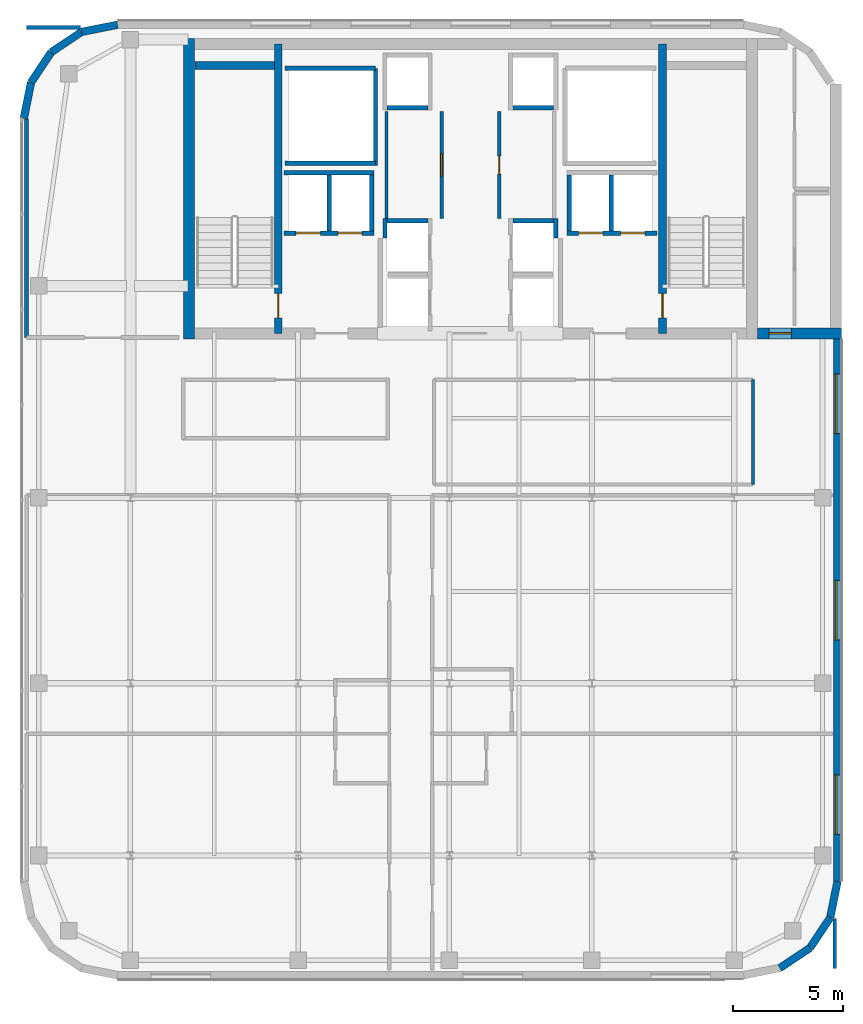
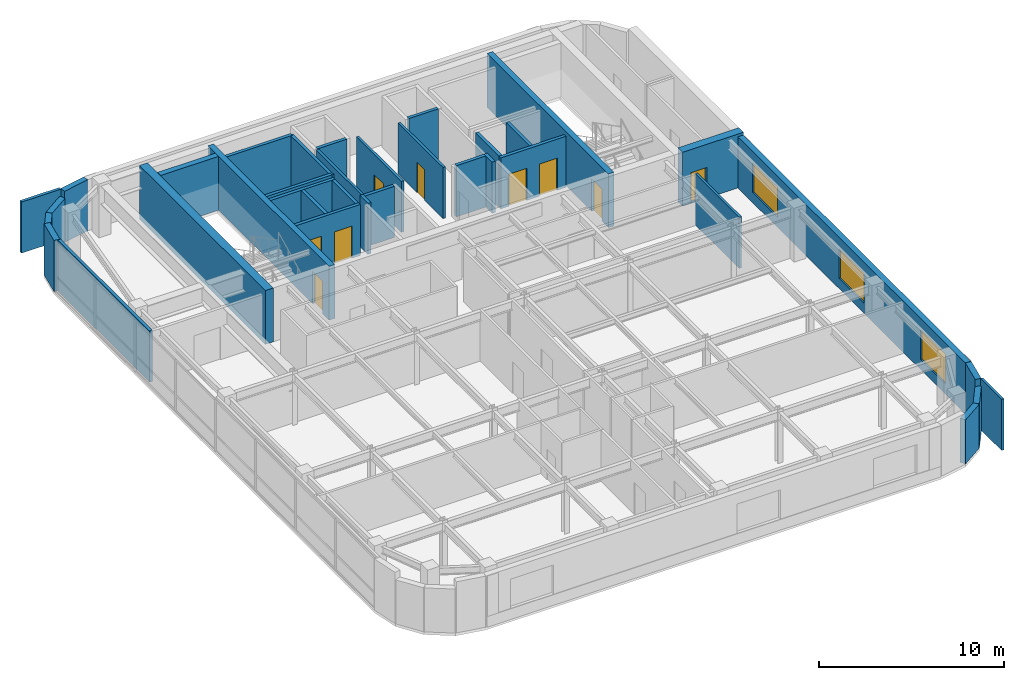
# One storey, part 16 of 21: 36 walls, 9 doors, 3 windows, 12 openings.
"""IFC4 building model written with IfcOpenShell, lengths in metres."""

from ifc_helpers import new_model, si_unit, direction, frame, frame_2d, origin, place, context, subcontext, project, spatial, rectangle, extrude, source, transform, mapped, material, layer, layer_set, type_object, type_shapes, element, fill, save


model = new_model("IFC4")

# Units and contexts
model_context = context("Model", 3, precision=1e-05, world=origin(), true_north=direction((0.0, 1.0)))
body_context = subcontext(model_context, "Body", "Model", "MODEL_VIEW")
ifc_project = project(units=[si_unit("LENGTHUNIT", "METRE"), si_unit("AREAUNIT", "SQUARE_METRE"), si_unit("VOLUMEUNIT", "CUBIC_METRE"), si_unit("PLANEANGLEUNIT", "RADIAN"), si_unit("MASSUNIT", "GRAM", prefix="KILO")], contexts=[model_context])

# Site, building, storey
site_placement = place(None, origin())
site = spatial("IfcSite", under=ifc_project, at=site_placement, CompositionType="ELEMENT")
building_placement = place(site_placement, origin())
building = spatial("IfcBuilding", under=site, at=building_placement, Name="Tolvann Quenvar Hotel", CompositionType="ELEMENT")
storey_placement = place(building_placement, frame((0.0, 0.0, 227.449951171875)))
storey = spatial("IfcBuildingStorey", under=building, at=storey_placement, Name="L60", CompositionType="ELEMENT", Elevation=227.449951171875)

# Wall
ifc_material_1 = material(Name="Concrete N50 (50 MPa)", Category="concrete")
ifc_layer_1 = layer(ifc_material_1, 0.5)
ifc_layer_set_1 = layer_set([ifc_layer_1], Name="Concrete N50 (50 MPa)")
wall_type_1 = type_object("IfcWallType", Name="WALL_CORE_500", PredefinedType="SHEAR", material=ifc_layer_set_1)
wall_1_placement = place(storey_placement, frame((10.25, 31.60009765625, 0.0), z_axis=(0.0, 0.0, 1.0), x_axis=(0.0, 1.0, 0.0)))
element("IfcWall", 1, at=wall_1_placement, inside=storey, type_object=wall_type_1, Name="Rear Core W Shear Wall (L60)", PredefinedType="SHEAR", context=body_context, shape_type="SweptSolid", body=[
    extrude(rectangle(XDim=13.599853515625, YDim=0.5, at=frame_2d((6.7998046875, 0.0))), origin(), (0.0, 0.0, 1.0), 3.550048828125),
])

# Wall, opening, door
wall_2_placement = place(storey_placement, frame((36.0, 31.85009765625, 0.0), z_axis=(0.0, 0.0, 1.0), x_axis=(1.0, 0.0, 0.0)))
wall_2 = element("IfcWall", 2, at=wall_2_placement, inside=storey, type_object=wall_type_1, Name="Core East Annex Shear Wall ANN-S (L60)", PredefinedType="SHEAR", context=body_context, shape_type="SweptSolid", body=[
    extrude(rectangle(XDim=3.800048828125, YDim=0.5, at=frame_2d((1.89990234375, 0.0))), origin(), (0.0, 0.0, 1.0), 3.550048828125),
])
opening_1_placement = place(wall_2_placement, frame((1.5400390625, 0.0, 0.0), z_axis=(0.0, 0.0, 1.0), x_axis=(-1.0, 0.0, 0.0)))
opening_1 = element("IfcOpeningElement", 3, at=opening_1_placement, cuts=wall_2, Name="Opening HD-01", PredefinedType="OPENING", context=body_context, shape_type="SweptSolid", body=[
    extrude(rectangle(XDim=1.02001953125, YDim=2.030029296875, at=frame_2d((0.510009765625, 1.01513671875))), frame((0.0, 0.260009765625, 0.0), z_axis=(0.0, -1.0, 0.0), x_axis=(1.0, 0.0, 0.0)), (0.0, 0.0, 1.0), 0.52001953125),
])
ifc_material_2 = material(Name="Pressed galvanised steel fire-rated door set", Category="steel")
door_type_1 = type_object("IfcDoorType", Name="DOOR_BOH_1020", OperationType="NOTDEFINED", PredefinedType="DOOR", material=ifc_material_2)
shared_shape_1 = source(origin(), body_context, "Body", "SweptSolid", [
    extrude(rectangle(XDim=1.02001953125, YDim=2.030029296875, at=frame_2d((0.510009765625, 1.01513671875))), frame((0.0, 0.02490234375, 0.0), z_axis=(0.0, -1.0, 0.0), x_axis=(1.0, 0.0, 0.0)), (0.0, 0.0, 1.0), 0.050048828125),
])
type_shapes(door_type_1, [shared_shape_1])
door_1_placement = place(opening_1_placement, origin())
door_1 = element("IfcDoor", 4, at=door_1_placement, inside=storey, type_object=door_type_1, Name="Housekeeping Annex Fire Door (L60)", OperationType="SINGLE_SWING_LEFT", OverallHeight=2.030029296875, OverallWidth=1.02001953125, PredefinedType="DOOR", context=body_context, shape_type="MappedRepresentation", body=[
    mapped(shared_shape_1, transform((0.0, 0.0, 0.0), x_axis=(1.0, 0.0, 0.0), y_axis=(0.0, 1.0, 0.0), z_axis=(0.0, 0.0, 1.0), scale=1.0)),
])
fill(opening_1, door_1)

ifc_material_3 = material(Name="Concrete S65 (65 MPa)", Category="concrete")
ifc_layer_2 = layer(ifc_material_3, 0.35009765625)
ifc_layer_set_2 = layer_set([ifc_layer_2], Name="Concrete S65 (65 MPa)")
wall_type_2 = type_object("IfcWallType", Name="WALL_CORE_INT_350", PredefinedType="SHEAR", material=ifc_layer_set_2)
wall_3_placement = place(storey_placement, frame((14.300048828125, 31.85009765625, 0.0), z_axis=(0.0, 0.0, 1.0), x_axis=(0.0, 1.0, 0.0)))
wall_3 = element("IfcWall", 5, at=wall_3_placement, inside=storey, type_object=wall_type_2, Name="Core Internal Web Shear Wall WEB-W (L60)", PredefinedType="SHEAR", context=body_context, shape_type="SweptSolid", body=[
    extrude(rectangle(XDim=13.099853515625, YDim=0.35009765625, at=frame_2d((6.5498046875, 0.0))), origin(), (0.0, 0.0, 1.0), 3.550048828125),
])
opening_2_placement = place(wall_3_placement, frame((0.699951171875, 0.0, 0.0)))
opening_2 = element("IfcOpeningElement", 6, at=opening_2_placement, cuts=wall_3, Name="Opening FD-120", PredefinedType="OPENING", context=body_context, shape_type="SweptSolid", body=[
    extrude(rectangle(XDim=1.10009765625, YDim=2.1201171875, at=frame_2d((0.550048828125, 1.06005859375))), frame((0.0, 0.18505859375, 0.0), z_axis=(0.0, -1.0, 0.0), x_axis=(1.0, 0.0, 0.0)), (0.0, 0.0, 1.0), 0.3701171875),
])
door_type_2 = type_object("IfcDoorType", Name="DOOR_FIRE_STAIR_1100", OperationType="NOTDEFINED", PredefinedType="DOOR", material=ifc_material_2)
shared_shape_2 = source(origin(), body_context, "Body", "SweptSolid", [
    extrude(rectangle(XDim=1.10009765625, YDim=2.1201171875, at=frame_2d((0.550048828125, 1.06005859375))), frame((0.0, 0.02490234375, 0.0), z_axis=(0.0, -1.0, 0.0), x_axis=(1.0, 0.0, 0.0)), (0.0, 0.0, 1.0), 0.050048828125),
])
type_shapes(door_type_2, [shared_shape_2])
door_2_placement = place(opening_2_placement, origin())
door_2 = element("IfcDoor", 7, at=door_2_placement, inside=storey, type_object=door_type_2, Name="Exit Stair ST-C1 Fire Door (L60)", OperationType="SINGLE_SWING_LEFT", OverallHeight=2.1201171875, OverallWidth=1.10009765625, PredefinedType="DOOR", context=body_context, shape_type="MappedRepresentation", body=[
    mapped(shared_shape_2, transform((0.0, 0.0, 0.0), x_axis=(1.0, 0.0, 0.0), y_axis=(0.0, 1.0, 0.0), z_axis=(0.0, 0.0, 1.0), scale=1.0)),
])
fill(opening_2, door_2)

wall_4_placement = place(storey_placement, frame((31.699951171875, 31.85009765625, 0.0), z_axis=(0.0, 0.0, 1.0), x_axis=(0.0, 1.0, 0.0)))
wall_4 = element("IfcWall", 8, at=wall_4_placement, inside=storey, type_object=wall_type_2, Name="Core Internal Web Shear Wall WEB-E (L60)", PredefinedType="SHEAR", context=body_context, shape_type="SweptSolid", body=[
    extrude(rectangle(XDim=13.099853515625, YDim=0.35009765625, at=frame_2d((6.5498046875, 0.0))), origin(), (0.0, 0.0, 1.0), 3.550048828125),
])
opening_3_placement = place(wall_4_placement, frame((1.800048828125, 0.0, 0.0), z_axis=(0.0, 0.0, 1.0), x_axis=(-1.0, 0.0, 0.0)))
opening_3 = element("IfcOpeningElement", 9, at=opening_3_placement, cuts=wall_4, Name="Opening FD-120", PredefinedType="OPENING", context=body_context, shape_type="SweptSolid", body=[
    extrude(rectangle(XDim=1.10009765625, YDim=2.1201171875, at=frame_2d((0.550048828125, 1.06005859375))), frame((0.0, 0.18505859375, 0.0), z_axis=(0.0, -1.0, 0.0), x_axis=(1.0, 0.0, 0.0)), (0.0, 0.0, 1.0), 0.3701171875),
])
door_3_placement = place(opening_3_placement, origin())
door_3 = element("IfcDoor", 10, at=door_3_placement, inside=storey, type_object=door_type_2, Name="Exit Stair ST-C2 Fire Door (L60)", OperationType="SINGLE_SWING_RIGHT", OverallHeight=2.1201171875, OverallWidth=1.10009765625, PredefinedType="DOOR", context=body_context, shape_type="MappedRepresentation", body=[
    mapped(shared_shape_2, transform((0.0, 0.0, 0.0), x_axis=(1.0, 0.0, 0.0), y_axis=(0.0, 1.0, 0.0), z_axis=(0.0, 0.0, 1.0), scale=1.0)),
])
fill(opening_3, door_3)

# Walls
wall_5_placement = place(storey_placement, frame((10.52001953125, 43.97509765625, 0.0), z_axis=(0.0, 0.0, 1.0), x_axis=(1.0, 0.0, 0.0)))
element("IfcWall", 11, at=wall_5_placement, inside=storey, type_object=wall_type_2, Name="Core Stair North Closing Shear Wall STC1-N (L60)", PredefinedType="SHEAR", context=body_context, shape_type="SweptSolid", body=[
    extrude(rectangle(XDim=3.60009765625, YDim=0.35009765625, at=frame_2d((1.800048828125, 0.0))), origin(), (0.0, 0.0, 1.0), 3.550048828125),
])
ifc_material_4 = material(Name="Kiln-fired red and buff architectural clay brickwork and terracotta masonry", Category="masonry")
ifc_layer_3 = layer(ifc_material_4, 0.35009765625)
ifc_layer_set_3 = layer_set([ifc_layer_3], Name="Kiln-fired red and buff architectural clay brickwork and terracotta masonry")
wall_type_3 = type_object("IfcWallType", Name="WALL_EXT_BRICK_350", PredefinedType="SOLIDWALL", material=ifc_layer_set_3)
for number, where, z_axis, x_axis, name in (
    (12, (37.015380859375, 3.099609375, 0.0), (0.0, 0.0, 1.0), (0.831434158098, 0.555623290322, 0.0), "Exterior Chicago Brick Wall L60-E06"),
    (13, (38.385009765625, 4.014892578125, 0.0), (0.0, 0.0, 1.0), (0.555623290322, 0.831434158098, 0.0), "Exterior Chicago Brick Wall L60-E07"),
):
    element("IfcWall", number, at=place(storey_placement, frame(where, z_axis=z_axis, x_axis=x_axis)), inside=storey, type_object=wall_type_3, Name=name, PredefinedType="SOLIDWALL", context=body_context, shape_type="SweptSolid", body=[
        extrude(rectangle(XDim=1.647216796875, YDim=0.35009765625, at=frame_2d((0.82373046875, 0.0))), origin(), (0.0, 0.0, 1.0), 2.900146484375),
    ])
wall_6_placement = place(storey_placement, frame((39.30029296875, 5.384521484375, 0.0), z_axis=(0.0, 0.0, 1.0), x_axis=(0.195072403631, 0.980788844421, 0.0)))
element("IfcWall", 14, at=wall_6_placement, inside=storey, type_object=wall_type_3, Name="Exterior Chicago Brick Wall L60-E08", PredefinedType="SOLIDWALL", context=body_context, shape_type="SweptSolid", body=[
    extrude(rectangle(XDim=1.66455078125, YDim=0.35009765625, at=frame_2d((0.832275390625, 0.0))), origin(), (0.0, 0.0, 1.0), 3.3701171875),
])

# Wall, openings, windows
wall_7_placement = place(storey_placement, frame((39.625, 7.01708984375, 0.0), z_axis=(0.0, 0.0, 1.0), x_axis=(0.0, 1.0, 0.0)))
wall_7 = element("IfcWall", 15, at=wall_7_placement, inside=storey, type_object=wall_type_3, Name="Exterior Chicago Brick Wall L60-E09", PredefinedType="SOLIDWALL", context=body_context, shape_type="SweptSolid", body=[
    extrude(rectangle(XDim=24.578857421875, YDim=0.35009765625, at=frame_2d((12.28955078125, 0.0))), origin(), (0.0, 0.0, 1.0), 3.3701171875),
])
opening_4_placement = place(wall_7_placement, frame((2.137939453125, 0.0, 0.679931640625)))
opening_4 = element("IfcOpeningElement", 16, at=opening_4_placement, cuts=wall_7, Name="Opening W-04", PredefinedType="OPENING", context=body_context, shape_type="SweptSolid", body=[
    extrude(rectangle(XDim=2.699951171875, YDim=1.949951171875, at=frame_2d((1.35009765625, 0.97509765625))), frame((0.0, 0.18505859375, 0.0), z_axis=(0.0, -1.0, 0.0), x_axis=(1.0, 0.0, 0.0)), (0.0, 0.0, 1.0), 0.3701171875),
])
opening_5_placement = place(wall_7_placement, frame((10.93896484375, 0.0, 0.679931640625)))
opening_5 = element("IfcOpeningElement", 17, at=opening_5_placement, cuts=wall_7, Name="Opening W-04", PredefinedType="OPENING", context=body_context, shape_type="SweptSolid", body=[
    extrude(rectangle(XDim=2.699951171875, YDim=1.949951171875, at=frame_2d((1.35009765625, 0.97509765625))), frame((0.0, 0.18505859375, 0.0), z_axis=(0.0, -1.0, 0.0), x_axis=(1.0, 0.0, 0.0)), (0.0, 0.0, 1.0), 0.3701171875),
])
opening_6_placement = place(wall_7_placement, frame((20.291015625, 0.0, 0.679931640625)))
opening_6 = element("IfcOpeningElement", 18, at=opening_6_placement, cuts=wall_7, Name="Opening W-04", PredefinedType="OPENING", context=body_context, shape_type="SweptSolid", body=[
    extrude(rectangle(XDim=2.699951171875, YDim=1.949951171875, at=frame_2d((1.35009765625, 0.97509765625))), frame((0.0, 0.18505859375, 0.0), z_axis=(0.0, -1.0, 0.0), x_axis=(1.0, 0.0, 0.0)), (0.0, 0.0, 1.0), 0.3701171875),
])
ifc_material_5 = material(Name="Thermally broken bronze-anodised aluminium frame with double low-E glazing", Category="aluminium")
window_type = type_object("IfcWindowType", Name="WIN_STE_2700x2150", PartitioningType="TRIPLE_PANEL_HORIZONTAL", PredefinedType="WINDOW", material=ifc_material_5)
shared_shape_3 = source(origin(), body_context, "Body", "SweptSolid", [
    extrude(rectangle(XDim=2.699951171875, YDim=1.949951171875, at=frame_2d((1.35009765625, 0.97509765625))), frame((0.0, 0.090087890625, 0.0), z_axis=(0.0, -1.0, 0.0), x_axis=(1.0, 0.0, 0.0)), (0.0, 0.0, 1.0), 0.06005859375),
])
type_shapes(window_type, [shared_shape_3])
window_1_placement = place(opening_4_placement, origin())
window_1 = element("IfcWindow", 19, at=window_1_placement, inside=storey, type_object=window_type, Name="Chicago Window W-04 (EW-L60-E09-W01)", OverallHeight=1.949951171875, OverallWidth=2.699951171875, PartitioningType="TRIPLE_PANEL_HORIZONTAL", PredefinedType="WINDOW", context=body_context, shape_type="MappedRepresentation", body=[
    mapped(shared_shape_3, transform((0.0, 0.0, 0.0), x_axis=(1.0, 0.0, 0.0), y_axis=(0.0, 1.0, 0.0), z_axis=(0.0, 0.0, 1.0), scale=1.0)),
])
fill(opening_4, window_1)
window_2_placement = place(opening_5_placement, origin())
window_2 = element("IfcWindow", 20, at=window_2_placement, inside=storey, type_object=window_type, Name="Chicago Window W-04 (EW-L60-E09-W02)", OverallHeight=1.949951171875, OverallWidth=2.699951171875, PartitioningType="TRIPLE_PANEL_HORIZONTAL", PredefinedType="WINDOW", context=body_context, shape_type="MappedRepresentation", body=[
    mapped(shared_shape_3, transform((0.0, 0.0, 0.0), x_axis=(1.0, 0.0, 0.0), y_axis=(0.0, 1.0, 0.0), z_axis=(0.0, 0.0, 1.0), scale=1.0)),
])
fill(opening_5, window_2)
window_3_placement = place(opening_6_placement, origin())
window_3 = element("IfcWindow", 21, at=window_3_placement, inside=storey, type_object=window_type, Name="Chicago Window W-04 (EW-L60-E09-W03)", OverallHeight=1.949951171875, OverallWidth=2.699951171875, PartitioningType="TRIPLE_PANEL_HORIZONTAL", PredefinedType="WINDOW", context=body_context, shape_type="MappedRepresentation", body=[
    mapped(shared_shape_3, transform((0.0, 0.0, 0.0), x_axis=(1.0, 0.0, 0.0), y_axis=(0.0, 1.0, 0.0), z_axis=(0.0, 0.0, 1.0), scale=1.0)),
])
fill(opening_6, window_3)

# Walls
wall_8_placement = place(storey_placement, frame((7.01708984375, 45.824951171875, 0.0), z_axis=(0.0, 0.0, 1.0), x_axis=(-0.980788844421, -0.195072403631, 0.0)))
element("IfcWall", 22, at=wall_8_placement, inside=storey, type_object=wall_type_3, Name="Exterior Chicago Brick Wall L60-E15", PredefinedType="SOLIDWALL", context=body_context, shape_type="SweptSolid", body=[
    extrude(rectangle(XDim=1.66455078125, YDim=0.35009765625, at=frame_2d((0.832275390625, 0.0))), origin(), (0.0, 0.0, 1.0), 3.3701171875),
])
for number, where, z_axis, x_axis, name in (
    (23, (5.384521484375, 45.500244140625, 0.0), (0.0, 0.0, 1.0), (-0.831502623162, -0.555520825599, 0.0), "Exterior Chicago Brick Wall L60-E16"),
    (24, (4.014892578125, 44.585205078125, 0.0), (0.0, 0.0, 1.0), (-0.555623290322, -0.831434158098, 0.0), "Exterior Chicago Brick Wall L60-E17"),
):
    element("IfcWall", number, at=place(storey_placement, frame(where, z_axis=z_axis, x_axis=x_axis)), inside=storey, type_object=wall_type_3, Name=name, PredefinedType="SOLIDWALL", context=body_context, shape_type="SweptSolid", body=[
        extrude(rectangle(XDim=1.647216796875, YDim=0.35009765625, at=frame_2d((0.82373046875, 0.0))), origin(), (0.0, 0.0, 1.0), 2.900146484375),
    ])
wall_9_placement = place(storey_placement, frame((3.099609375, 43.215576171875, 0.0), z_axis=(0.0, 0.0, 1.0), x_axis=(-0.195044345786, -0.980794424524, 0.0)))
element("IfcWall", 25, at=wall_9_placement, inside=storey, type_object=wall_type_3, Name="Exterior Chicago Brick Wall L60-E18", PredefinedType="SOLIDWALL", context=body_context, shape_type="SweptSolid", body=[
    extrude(rectangle(XDim=1.664794921875, YDim=0.35009765625, at=frame_2d((0.83251953125, 0.0))), origin(), (0.0, 0.0, 1.0), 3.3701171875),
])
ifc_material_6 = material(Name="Acoustic twin-stud fire-rated gypsum plasterboard partition")
ifc_layer_4 = layer(ifc_material_6, 0.179931640625)
ifc_layer_set_4 = layer_set([ifc_layer_4], Name="Acoustic twin-stud fire-rated gypsum plasterboard partition")
wall_type_4 = type_object("IfcWallType", Name="WALL_PART_ACOUSTIC_180", PredefinedType="PARTITIONING", material=ifc_layer_set_4)
wall_10_placement = place(storey_placement, frame((2.89990234375, 45.699951171875, 0.0), z_axis=(0.0, 0.0, 1.0), x_axis=(1.0, 0.0, 0.0)))
element("IfcWall", 26, at=wall_10_placement, inside=storey, type_object=wall_type_4, Name="Interior Partition PT-SPC-L60-SAL-N", PredefinedType="PARTITIONING", context=body_context, shape_type="SweptSolid", body=[
    extrude(rectangle(XDim=2.445068359375, YDim=0.179931640625, at=frame_2d((1.22265625, 0.0))), origin(), (0.0, 0.0, 1.0), 3.3701171875),
])
wall_11_placement = place(storey_placement, frame((2.89990234375, 31.64990234375, 0.0), z_axis=(0.0, 0.0, 1.0), x_axis=(0.0, 1.0, 0.0)))
element("IfcWall", 27, at=wall_11_placement, inside=storey, type_object=wall_type_4, Name="Interior Partition PT-SPC-L60-SAL-W", PredefinedType="PARTITIONING", context=body_context, shape_type="SweptSolid", body=[
    extrude(rectangle(XDim=9.908203125, YDim=0.179931640625, at=frame_2d((4.9541015625, 0.0))), origin(), (0.0, 0.0, 1.0), 3.3701171875),
])

# Wall, opening, door
ifc_layer_5 = layer(ifc_material_6, 0.14990234375)
ifc_layer_set_5 = layer_set([ifc_layer_5], Name="Acoustic twin-stud fire-rated gypsum plasterboard partition")
wall_type_5 = type_object("IfcWallType", Name="WALL_PART_SUITE_150", PredefinedType="PARTITIONING", material=ifc_layer_set_5)
wall_12_placement = place(storey_placement, frame((21.699951171875, 37.050048828125, 0.0), z_axis=(0.0, 0.0, 1.0), x_axis=(0.0, 1.0, 0.0)))
wall_12 = element("IfcWall", 28, at=wall_12_placement, inside=storey, type_object=wall_type_5, Name="Interior Partition PT-SPC-L60-RECPM-1-ENT", PredefinedType="PARTITIONING", context=body_context, shape_type="SweptSolid", body=[
    extrude(rectangle(XDim=4.849853515625, YDim=0.14990234375, at=frame_2d((2.4248046875, 0.0))), origin(), (0.0, 0.0, 1.0), 3.3701171875),
])
opening_7_placement = place(wall_12_placement, frame((1.9150390625, 0.0, 0.0)))
opening_7 = element("IfcOpeningElement", 29, at=opening_7_placement, cuts=wall_12, Name="Opening HD-01", PredefinedType="OPENING", context=body_context, shape_type="SweptSolid", body=[
    extrude(rectangle(XDim=1.02001953125, YDim=2.030029296875, at=frame_2d((0.510009765625, 1.01513671875))), frame((0.0, 0.0849609375, 0.0), z_axis=(0.0, -1.0, 0.0), x_axis=(1.0, 0.0, 0.0)), (0.0, 0.0, 1.0), 0.169921875),
])
door_4_placement = place(opening_7_placement, origin())
door_4 = element("IfcDoor", 30, at=door_4_placement, inside=storey, type_object=door_type_1, Name="Interior Door DOOR-SPC-L60-RECPM-1", OperationType="SINGLE_SWING_RIGHT", OverallHeight=2.030029296875, OverallWidth=1.02001953125, PredefinedType="DOOR", context=body_context, shape_type="MappedRepresentation", body=[
    mapped(shared_shape_1, transform((0.0, 0.0, 0.0), x_axis=(1.0, 0.0, 0.0), y_axis=(0.0, 1.0, 0.0), z_axis=(0.0, 0.0, 1.0), scale=1.0)),
])
fill(opening_7, door_4)

# Wall
wall_13_placement = place(storey_placement, frame((19.199951171875, 37.0400390625, 0.0), z_axis=(0.0, 0.0, 1.0), x_axis=(0.0, 1.0, 0.0)))
element("IfcWall", 31, at=wall_13_placement, inside=storey, type_object=wall_type_5, Name="Interior Partition PT-SPC-L60-RECPM-1-W", PredefinedType="PARTITIONING", context=body_context, shape_type="SweptSolid", body=[
    extrude(rectangle(XDim=4.85986328125, YDim=0.14990234375, at=frame_2d((2.429931640625, 0.0))), origin(), (0.0, 0.0, 1.0), 3.3701171875),
])

# Wall, opening, door
wall_14_placement = place(storey_placement, frame((24.300048828125, 37.050048828125, 0.0), z_axis=(0.0, 0.0, 1.0), x_axis=(0.0, 1.0, 0.0)))
wall_14 = element("IfcWall", 32, at=wall_14_placement, inside=storey, type_object=wall_type_5, Name="Interior Partition PT-SPC-L60-RECPM-2-ENT", PredefinedType="PARTITIONING", context=body_context, shape_type="SweptSolid", body=[
    extrude(rectangle(XDim=4.849853515625, YDim=0.14990234375, at=frame_2d((2.4248046875, 0.0))), origin(), (0.0, 0.0, 1.0), 3.3701171875),
])
opening_8_placement = place(wall_14_placement, frame((2.014892578125, 0.0, 0.0)))
opening_8 = element("IfcOpeningElement", 33, at=opening_8_placement, cuts=wall_14, Name="Opening HD-02", PredefinedType="OPENING", context=body_context, shape_type="SweptSolid", body=[
    extrude(rectangle(XDim=0.820068359375, YDim=2.010009765625, at=frame_2d((0.41015625, 1.0048828125))), frame((0.0, 0.0849609375, 0.0), z_axis=(0.0, -1.0, 0.0), x_axis=(1.0, 0.0, 0.0)), (0.0, 0.0, 1.0), 0.169921875),
])
door_type_3 = type_object("IfcDoorType", Name="DOOR_STORE_820", OperationType="NOTDEFINED", PredefinedType="DOOR", material=ifc_material_2)
shared_shape_4 = source(origin(), body_context, "Body", "SweptSolid", [
    extrude(rectangle(XDim=0.820068359375, YDim=2.010009765625, at=frame_2d((0.41015625, 1.0048828125))), frame((0.0, 0.02490234375, 0.0), z_axis=(0.0, -1.0, 0.0), x_axis=(1.0, 0.0, 0.0)), (0.0, 0.0, 1.0), 0.050048828125),
])
type_shapes(door_type_3, [shared_shape_4])
door_5_placement = place(opening_8_placement, origin())
door_5 = element("IfcDoor", 34, at=door_5_placement, inside=storey, type_object=door_type_3, Name="Interior Door DOOR-SPC-L60-RECPM-2", OperationType="SINGLE_SWING_LEFT", OverallHeight=2.010009765625, OverallWidth=0.820068359375, PredefinedType="DOOR", context=body_context, shape_type="MappedRepresentation", body=[
    mapped(shared_shape_4, transform((0.0, 0.0, 0.0), x_axis=(1.0, 0.0, 0.0), y_axis=(0.0, 1.0, 0.0), z_axis=(0.0, 0.0, 1.0), scale=1.0)),
])
fill(opening_8, door_5)

# Walls
wall_15_placement = place(storey_placement, frame((39.5, 3.080078125, 0.0), z_axis=(0.0, 0.0, 1.0), x_axis=(0.0, 1.0, 0.0)))
element("IfcWall", 35, at=wall_15_placement, inside=storey, type_object=wall_type_5, Name="Interior Partition PT-SPC-L60-RM-EO01-E2", PredefinedType="PARTITIONING", context=body_context, shape_type="SweptSolid", body=[
    extrude(rectangle(XDim=2.264892578125, YDim=0.14990234375, at=frame_2d((1.13232421875, 0.0))), origin(), (0.0, 0.0, 1.0), 3.3701171875),
])
wall_16_placement = place(storey_placement, frame((35.800048828125, 25.0, 0.0), z_axis=(0.0, 0.0, 1.0), x_axis=(0.0, 1.0, 0.0)))
element("IfcWall", 36, at=wall_16_placement, inside=storey, type_object=wall_type_5, Name="Interior Partition PT-SPC-L60-LOUNGE-E", PredefinedType="PARTITIONING", context=body_context, shape_type="SweptSolid", body=[
    extrude(rectangle(XDim=4.75, YDim=0.14990234375, at=frame_2d((2.375, 0.0))), origin(), (0.0, 0.0, 1.0), 3.3701171875),
])
ifc_material_7 = material(Name="Concrete N40 (40 MPa)", Category="concrete")
ifc_layer_6 = layer(ifc_material_7, 0.199951171875)
ifc_layer_set_6 = layer_set([ifc_layer_6], Name="Concrete N40 (40 MPa)")
wall_type_6 = type_object("IfcWallType", Name="WALL_SHAFT_200", PredefinedType="SOLIDWALL", material=ifc_layer_set_6)
wall_17_placement = place(storey_placement, frame((18.699951171875, 39.449951171875, 0.0), z_axis=(0.0, 0.0, 1.0), x_axis=(0.0, 1.0, 0.0)))
element("IfcWall", 37, at=wall_17_placement, inside=storey, type_object=wall_type_6, Name="Service Riser W Shaft Wall IN (L60)", PredefinedType="SOLIDWALL", context=body_context, shape_type="SweptSolid", body=[
    extrude(rectangle(XDim=4.400146484375, YDim=0.199951171875, at=frame_2d((2.2001953125, 0.0))), origin(), (0.0, 0.0, 1.0), 3.3701171875),
])
for number, where, z_axis, x_axis, name in (
    (38, (14.60009765625, 39.550048828125, 0.0), (0.0, 0.0, 1.0), (1.0, 0.0, 0.0), "Service Riser W Shaft Wall S (L60)"),
    (39, (14.60009765625, 43.85009765625, 0.0), (0.0, 0.0, 1.0), (1.0, 0.0, 0.0), "Service Riser W Shaft Wall N (L60)"),
):
    element("IfcWall", number, at=place(storey_placement, frame(where, z_axis=z_axis, x_axis=x_axis)), inside=storey, type_object=wall_type_6, Name=name, PredefinedType="SOLIDWALL", context=body_context, shape_type="SweptSolid", body=[
        extrude(rectangle(XDim=4.099853515625, YDim=0.199951171875, at=frame_2d((2.0498046875, 0.0))), origin(), (0.0, 0.0, 1.0), 3.3701171875),
    ])
wall_18_placement = place(storey_placement, frame((19.1298828125, 36.159912109375, 0.0), z_axis=(0.0, 0.0, 1.0), x_axis=(0.0, 1.0, 0.0)))
element("IfcWall", 40, at=wall_18_placement, inside=storey, type_object=wall_type_6, Name="Lift Bank E21.1C1 Hoistway Rear Wall (L60)", PredefinedType="SOLIDWALL", context=body_context, shape_type="SweptSolid", body=[
    extrude(rectangle(XDim=0.880126953125, YDim=0.199951171875, at=frame_2d((0.43994140625, 0.0))), origin(), (0.0, 0.0, 1.0), 3.3701171875),
])
for number, where, z_axis, x_axis, name in (
    (41, (19.22998046875, 36.93994140625, 0.0), (0.0, 0.0, 1.0), (1.0, 0.0, 0.0), "Lift Bank E21.1C1 Hoistway Cheek Wall 2 (L60)"),
    (42, (19.22998046875, 42.06005859375, 0.0), (0.0, 0.0, 1.0), (1.0, 0.0, 0.0), "Lift Bank E21.1C2 Hoistway Cheek Wall 1 (L60)"),
):
    element("IfcWall", number, at=place(storey_placement, frame(where, z_axis=z_axis, x_axis=x_axis)), inside=storey, type_object=wall_type_6, Name=name, PredefinedType="SOLIDWALL", context=body_context, shape_type="SweptSolid", body=[
        extrude(rectangle(XDim=1.840087890625, YDim=0.199951171875, at=frame_2d((0.919921875, 0.0))), origin(), (0.0, 0.0, 1.0), 3.3701171875),
    ])

# Wall, openings, doors
wall_19_placement = place(storey_placement, frame((27.375, 36.3798828125, 0.0), z_axis=(0.0, 0.0, 1.0), x_axis=(1.0, 0.0, 0.0)))
wall_19 = element("IfcWall", 43, at=wall_19_placement, inside=storey, type_object=wall_type_6, Name="Lift Bank SEC1 Hoistway Front Wall (L60)", PredefinedType="SOLIDWALL", context=body_context, shape_type="SweptSolid", body=[
    extrude(rectangle(XDim=4.074951171875, YDim=0.199951171875, at=frame_2d((2.03759765625, 0.0))), origin(), (0.0, 0.0, 1.0), 3.3701171875),
])
opening_9_placement = place(wall_19_placement, frame((0.52490234375, 0.0, 0.0)))
opening_9 = element("IfcOpeningElement", 44, at=opening_9_placement, cuts=wall_19, Name="Opening LD-01", PredefinedType="OPENING", context=body_context, shape_type="SweptSolid", body=[
    extrude(rectangle(XDim=1.10009765625, YDim=2.1201171875, at=frame_2d((0.550048828125, 1.06005859375))), frame((0.0, 0.10986328125, 0.0), z_axis=(0.0, -1.0, 0.0), x_axis=(1.0, 0.0, 0.0)), (0.0, 0.0, 1.0), 0.219970703125),
])
opening_10_placement = place(wall_19_placement, frame((2.425048828125, 0.0, 0.0)))
opening_10 = element("IfcOpeningElement", 45, at=opening_10_placement, cuts=wall_19, Name="Opening LD-01", PredefinedType="OPENING", context=body_context, shape_type="SweptSolid", body=[
    extrude(rectangle(XDim=1.10009765625, YDim=2.1201171875, at=frame_2d((0.550048828125, 1.06005859375))), frame((0.0, 0.10986328125, 0.0), z_axis=(0.0, -1.0, 0.0), x_axis=(1.0, 0.0, 0.0)), (0.0, 0.0, 1.0), 0.219970703125),
])
ifc_material_8 = material(Name="Brushed 316 stainless steel automatic sliding lift landing door", Category="steel")
door_type_4 = type_object("IfcDoorType", Name="DOOR_LIFT_SLIDE_1100", OperationType="NOTDEFINED", PredefinedType="DOOR", material=ifc_material_8)
shared_shape_5 = source(origin(), body_context, "Body", "SweptSolid", [
    extrude(rectangle(XDim=1.10009765625, YDim=2.1201171875, at=frame_2d((0.550048828125, 1.06005859375))), frame((0.0, 0.02490234375, 0.0), z_axis=(0.0, -1.0, 0.0), x_axis=(1.0, 0.0, 0.0)), (0.0, 0.0, 1.0), 0.050048828125),
])
type_shapes(door_type_4, [shared_shape_5])
door_6_placement = place(opening_9_placement, origin())
door_6 = element("IfcDoor", 46, at=door_6_placement, inside=storey, type_object=door_type_4, Name="Lift SV-2 Sliding Landing Door (L60)", OperationType="SLIDING_TO_LEFT", OverallHeight=2.1201171875, OverallWidth=1.10009765625, PredefinedType="DOOR", context=body_context, shape_type="MappedRepresentation", body=[
    mapped(shared_shape_5, transform((0.0, 0.0, 0.0), x_axis=(1.0, 0.0, 0.0), y_axis=(0.0, 1.0, 0.0), z_axis=(0.0, 0.0, 1.0), scale=1.0)),
])
fill(opening_9, door_6)
door_7_placement = place(opening_10_placement, origin())
door_7 = element("IfcDoor", 47, at=door_7_placement, inside=storey, type_object=door_type_4, Name="Lift FF-2 Sliding Landing Door (L60)", OperationType="SLIDING_TO_RIGHT", OverallHeight=2.1201171875, OverallWidth=1.10009765625, PredefinedType="DOOR", context=body_context, shape_type="MappedRepresentation", body=[
    mapped(shared_shape_5, transform((0.0, 0.0, 0.0), x_axis=(1.0, 0.0, 0.0), y_axis=(0.0, 1.0, 0.0), z_axis=(0.0, 0.0, 1.0), scale=1.0)),
])
fill(opening_10, door_7)

# Walls
for number, where, z_axis, x_axis, name in (
    (48, (27.47509765625, 36.47998046875, 0.0), (0.0, 0.0, 1.0), (0.0, 1.0, 0.0), "Lift Bank SEC1 Hoistway Cheek Wall 1 (L60)"),
    (49, (29.387451171875, 36.47998046875, 0.0), (0.0, 0.0, 1.0), (0.0, 1.0, 0.0), "Lift Bank SEC1 Divider Wall 1 (L60)"),
):
    element("IfcWall", number, at=place(storey_placement, frame(where, z_axis=z_axis, x_axis=x_axis)), inside=storey, type_object=wall_type_6, Name=name, PredefinedType="SOLIDWALL", context=body_context, shape_type="SweptSolid", body=[
        extrude(rectangle(XDim=2.5400390625, YDim=0.199951171875, at=frame_2d((1.27001953125, 0.0))), origin(), (0.0, 0.0, 1.0), 3.3701171875),
    ])

# Wall, openings, doors
wall_20_placement = place(storey_placement, frame((14.550048828125, 36.3798828125, 0.0), z_axis=(0.0, 0.0, 1.0), x_axis=(1.0, 0.0, 0.0)))
wall_20 = element("IfcWall", 50, at=wall_20_placement, inside=storey, type_object=wall_type_6, Name="Lift Bank SWC1 Hoistway Front Wall (L60)", PredefinedType="SOLIDWALL", context=body_context, shape_type="SweptSolid", body=[
    extrude(rectangle(XDim=4.074951171875, YDim=0.199951171875, at=frame_2d((2.03759765625, 0.0))), origin(), (0.0, 0.0, 1.0), 3.3701171875),
])
opening_11_placement = place(wall_20_placement, frame((0.550048828125, 0.0, 0.0)))
opening_11 = element("IfcOpeningElement", 51, at=opening_11_placement, cuts=wall_20, Name="Opening LD-01", PredefinedType="OPENING", context=body_context, shape_type="SweptSolid", body=[
    extrude(rectangle(XDim=1.10009765625, YDim=2.1201171875, at=frame_2d((0.550048828125, 1.06005859375))), frame((0.0, 0.10986328125, 0.0), z_axis=(0.0, -1.0, 0.0), x_axis=(1.0, 0.0, 0.0)), (0.0, 0.0, 1.0), 0.219970703125),
])
opening_12_placement = place(wall_20_placement, frame((2.449951171875, 0.0, 0.0)))
opening_12 = element("IfcOpeningElement", 52, at=opening_12_placement, cuts=wall_20, Name="Opening LD-01", PredefinedType="OPENING", context=body_context, shape_type="SweptSolid", body=[
    extrude(rectangle(XDim=1.10009765625, YDim=2.1201171875, at=frame_2d((0.550048828125, 1.06005859375))), frame((0.0, 0.10986328125, 0.0), z_axis=(0.0, -1.0, 0.0), x_axis=(1.0, 0.0, 0.0)), (0.0, 0.0, 1.0), 0.219970703125),
])
door_8_placement = place(opening_11_placement, origin())
door_8 = element("IfcDoor", 53, at=door_8_placement, inside=storey, type_object=door_type_4, Name="Lift FF-1 Sliding Landing Door (L60)", OperationType="SLIDING_TO_LEFT", OverallHeight=2.1201171875, OverallWidth=1.10009765625, PredefinedType="DOOR", context=body_context, shape_type="MappedRepresentation", body=[
    mapped(shared_shape_5, transform((0.0, 0.0, 0.0), x_axis=(1.0, 0.0, 0.0), y_axis=(0.0, 1.0, 0.0), z_axis=(0.0, 0.0, 1.0), scale=1.0)),
])
fill(opening_11, door_8)
door_9_placement = place(opening_12_placement, origin())
door_9 = element("IfcDoor", 54, at=door_9_placement, inside=storey, type_object=door_type_4, Name="Lift SV-1 Sliding Landing Door (L60)", OperationType="SLIDING_TO_RIGHT", OverallHeight=2.1201171875, OverallWidth=1.10009765625, PredefinedType="DOOR", context=body_context, shape_type="MappedRepresentation", body=[
    mapped(shared_shape_5, transform((0.0, 0.0, 0.0), x_axis=(1.0, 0.0, 0.0), y_axis=(0.0, 1.0, 0.0), z_axis=(0.0, 0.0, 1.0), scale=1.0)),
])
fill(opening_12, door_9)

# Walls
wall_21_placement = place(storey_placement, frame((14.550048828125, 39.1201171875, 0.0), z_axis=(0.0, 0.0, 1.0), x_axis=(1.0, 0.0, 0.0)))
element("IfcWall", 55, at=wall_21_placement, inside=storey, type_object=wall_type_6, Name="Lift Bank SWC1 Hoistway Rear Wall (L60)", PredefinedType="SOLIDWALL", context=body_context, shape_type="SweptSolid", body=[
    extrude(rectangle(XDim=4.074951171875, YDim=0.199951171875, at=frame_2d((2.03759765625, 0.0))), origin(), (0.0, 0.0, 1.0), 3.3701171875),
])
for number, where, z_axis, x_axis, name in (
    (56, (18.52490234375, 36.47998046875, 0.0), (0.0, 0.0, 1.0), (0.0, 1.0, 0.0), "Lift Bank SWC1 Hoistway Cheek Wall 2 (L60)"),
    (57, (16.612548828125, 36.47998046875, 0.0), (0.0, 0.0, 1.0), (0.0, 1.0, 0.0), "Lift Bank SWC1 Divider Wall 1 (L60)"),
):
    element("IfcWall", number, at=place(storey_placement, frame(where, z_axis=z_axis, x_axis=x_axis)), inside=storey, type_object=wall_type_6, Name=name, PredefinedType="SOLIDWALL", context=body_context, shape_type="SweptSolid", body=[
        extrude(rectangle(XDim=2.5400390625, YDim=0.199951171875, at=frame_2d((1.27001953125, 0.0))), origin(), (0.0, 0.0, 1.0), 3.3701171875),
    ])
wall_22_placement = place(storey_placement, frame((26.8701171875, 36.159912109375, 0.0), z_axis=(0.0, 0.0, 1.0), x_axis=(0.0, 1.0, 0.0)))
element("IfcWall", 58, at=wall_22_placement, inside=storey, type_object=wall_type_6, Name="Lift Bank W24.9C1 Hoistway Rear Wall (L60)", PredefinedType="SOLIDWALL", context=body_context, shape_type="SweptSolid", body=[
    extrude(rectangle(XDim=0.880126953125, YDim=0.199951171875, at=frame_2d((0.43994140625, 0.0))), origin(), (0.0, 0.0, 1.0), 3.3701171875),
])
for number, where, z_axis, x_axis, name in (
    (59, (24.929931640625, 36.93994140625, 0.0), (0.0, 0.0, 1.0), (1.0, 0.0, 0.0), "Lift Bank W24.9C1 Hoistway Cheek Wall 2 (L60)"),
    (60, (24.929931640625, 42.06005859375, 0.0), (0.0, 0.0, 1.0), (1.0, 0.0, 0.0), "Lift Bank W24.9C2 Hoistway Cheek Wall 1 (L60)"),
):
    element("IfcWall", number, at=place(storey_placement, frame(where, z_axis=z_axis, x_axis=x_axis)), inside=storey, type_object=wall_type_6, Name=name, PredefinedType="SOLIDWALL", context=body_context, shape_type="SweptSolid", body=[
        extrude(rectangle(XDim=1.840087890625, YDim=0.199951171875, at=frame_2d((0.919921875, 0.0))), origin(), (0.0, 0.0, 1.0), 3.3701171875),
    ])

save(model, "model.ifc")
